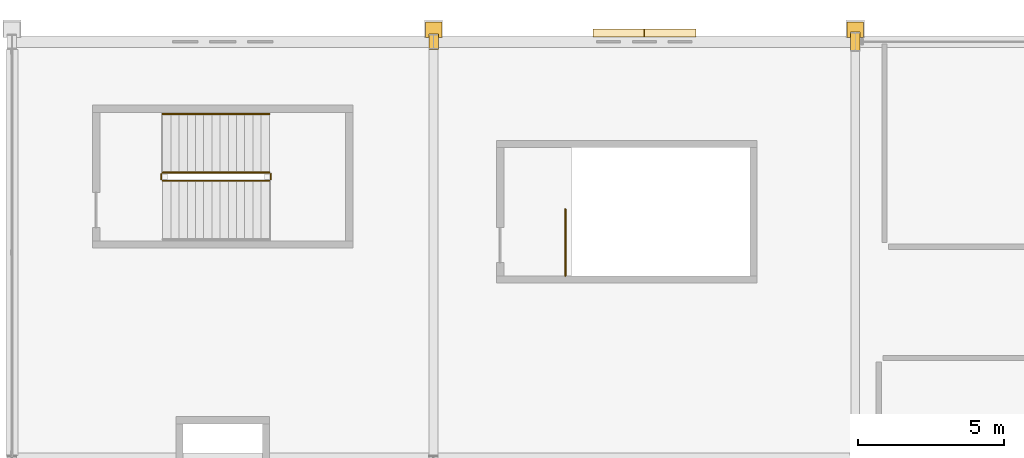
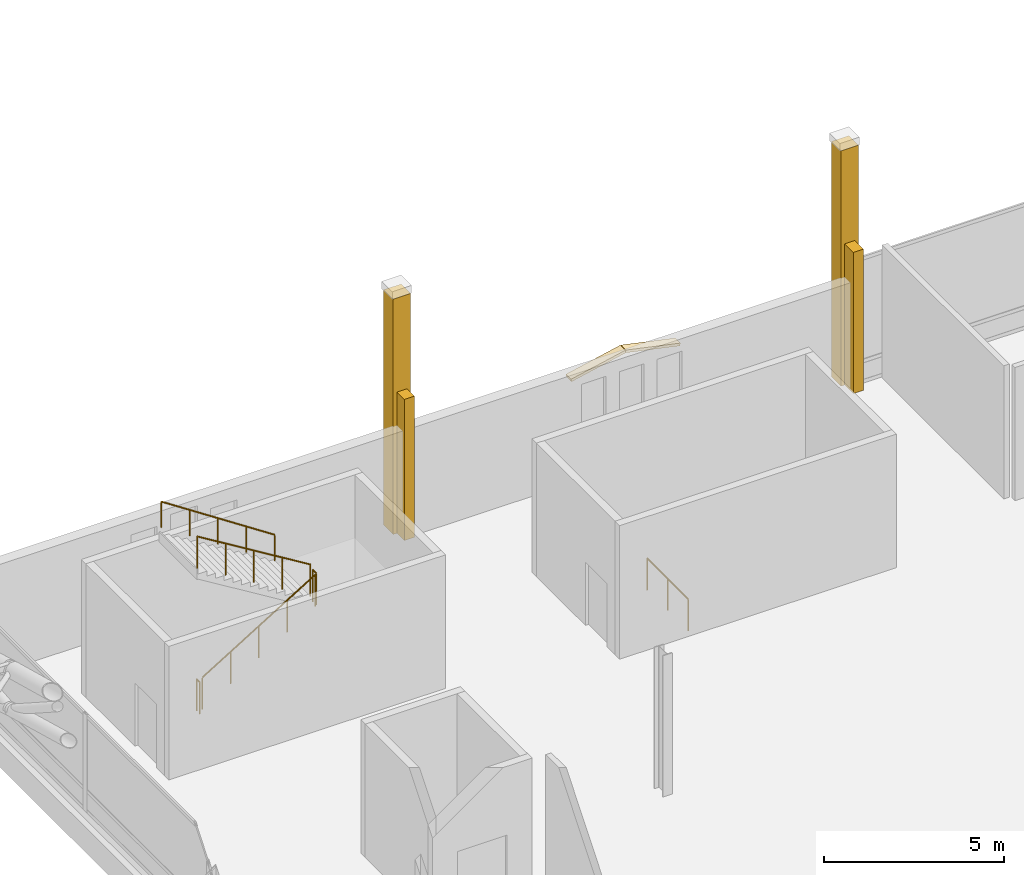
# One storey, part 192 of 193: 6 coverings, 6 railings.
"""IFC4 building model written with IfcOpenShell, lengths in metres."""

from ifc_helpers import new_model, si_unit, direction, frame, origin, origin_2d, place, context, subcontext, project, spatial, polyline, circle, outline, extrude, material, layer, layer_set, type_object, element, save


model = new_model("IFC4")

# Units and contexts
model_context = context("Model", 3, precision=1e-05, world=origin(), true_north=direction((0.0, 1.0)))
body_context = subcontext(model_context, "Body", "Model", "MODEL_VIEW")
ifc_project = project(units=[si_unit("LENGTHUNIT", "METRE"), si_unit("AREAUNIT", "SQUARE_METRE"), si_unit("VOLUMEUNIT", "CUBIC_METRE"), si_unit("PLANEANGLEUNIT", "RADIAN"), si_unit("MASSUNIT", "GRAM", prefix="KILO")], contexts=[model_context])

# Site, building, storey
site_placement = place(None, origin())
site = spatial("IfcSite", under=ifc_project, at=site_placement, CompositionType="ELEMENT")
building_placement = place(site_placement, origin())
building = spatial("IfcBuilding", under=site, at=building_placement, Name="Cendralis Lancet Convention Centre", CompositionType="ELEMENT")
storey_placement = place(building_placement, frame((0.0, 0.0, 10.199951171875)))
storey = spatial("IfcBuildingStorey", under=building, at=storey_placement, Name="L02", CompositionType="ELEMENT", Elevation=10.199951171875)

# Coverings
ifc_material_1 = material(Name="Warm buff sandstone chevron cassette", Category="masonry")
ifc_layer = layer(ifc_material_1, 0.06005859375, Name="Warm buff sandstone chevron cassette")
ifc_layer_set = layer_set([ifc_layer], Name="Warm buff sandstone chevron cassette")
covering_type = type_object("IfcCoveringType", Name="ARC-CV-CLAD1", PredefinedType="CLADDING", material=ifc_layer_set)
for number, where, z_axis, x_axis, name in (
    (1, (144.639892578125, 137.239990234375, 3.27001953125), (-0.209529088731, 0.0, 0.977802414077), (0.0, -1.0, 0.0), "L02 Gothic Pointed Lancet Hood-Mould #0205L"),
    (2, (146.409912109375, 137.239990234375, 3.64501953125), (0.209529088731, 0.0, 0.977802414077), (0.0, -1.0, 0.0), "L02 Gothic Pointed Lancet Hood-Mould #0206R"),
):
    element("IfcCovering", number, at=place(storey_placement, frame(where, z_axis=z_axis, x_axis=x_axis)), inside=storey, type_object=covering_type, Name=name, PredefinedType="CLADDING", context=body_context, shape_type="SweptSolid", body=[
        extrude(outline(polyline([(0.0, 0.0), (0.284912109375, 0.0), (0.284912109375, 1.789727632909544), (0.0, 1.789727632909544), (0.0, 0.0)])), origin(), (0.0, 0.0, -1.0), 0.090087890625),
    ])
covering_1_placement = place(storey_placement, origin())
element("IfcCovering", 3, at=covering_1_placement, inside=storey, type_object=covering_type, Name="Gothic Stepped Stone Buttress Shaft #0054", PredefinedType="CLADDING", context=body_context, shape_type="SweptSolid", body=[
    extrude(outline(polyline([(139.47998046875, 137.47998046875), (138.919921875, 137.47998046875), (138.919921875, 136.949951171875), (139.47998046875, 136.949951171875), (139.47998046875, 137.47998046875)])), origin(), (0.0, 0.0, 1.0), 8.0),
])
covering_2_placement = place(storey_placement, origin())
element("IfcCovering", 4, at=covering_2_placement, inside=storey, type_object=covering_type, Name="Gothic Stepped Stone Buttress Shaft #0056", PredefinedType="CLADDING", context=body_context, shape_type="SweptSolid", body=[
    extrude(outline(polyline([(153.8798828125, 137.47998046875), (153.320068359375, 137.47998046875), (153.320068359375, 136.949951171875), (153.8798828125, 136.949951171875), (153.8798828125, 137.47998046875)])), origin(), (0.0, 0.0, 1.0), 8.0),
])
covering_3_placement = place(storey_placement, origin())
element("IfcCovering", 5, at=covering_3_placement, inside=storey, type_object=covering_type, Name="Exterior Column Stone Fire-Casing L02 #051", PredefinedType="CLADDING", context=body_context, shape_type="SweptSolid", body=[
    extrude(outline(polyline([(139.0380859375, 136.5380859375), (139.362060546875, 136.5380859375), (139.362060546875, 137.06201171875), (139.0380859375, 137.06201171875), (139.0380859375, 136.5380859375)])), origin(), (0.0, 0.0, 1.0), 4.800048828125),
])
covering_4_placement = place(storey_placement, origin())
element("IfcCovering", 6, at=covering_4_placement, inside=storey, type_object=covering_type, Name="Exterior Column Stone Fire-Casing L02 #057", PredefinedType="CLADDING", context=body_context, shape_type="SweptSolid", body=[
    extrude(outline(polyline([(153.43798828125, 136.462890625), (153.761962890625, 136.462890625), (153.761962890625, 137.136962890625), (153.43798828125, 137.136962890625), (153.43798828125, 136.462890625)])), origin(), (0.0, 0.0, 1.0), 4.800048828125),
])

# Railings
ifc_material_2 = material(Name="Steel S355", Category="steel")
railing_type_1 = type_object("IfcRailingType", Name="ARC-RL-CGD", PredefinedType="GUARDRAIL", material=ifc_material_2)
railing_1_placement = place(storey_placement, frame((129.949951171875, 132.050048828125, 0.17138671875)))
element("IfcRailing", 7, at=railing_1_placement, inside=storey, type_object=railing_type_1, Name="L02 ST-05 stair guard 1", PredefinedType="GUARDRAIL", context=body_context, shape_type="SweptSolid", body=[
    extrude(circle(Radius=0.02392578125, at=origin_2d()), frame((0.0, 0.0, 1.076171875), z_axis=(0.852840387347, 0.0, 0.522171689878), x_axis=(0.0, 1.0, 0.0)), (0.0, 0.0, 1.0), 4.268310546875),
    extrude(circle(Radius=0.02099609375, at=origin_2d()), origin(), (0.0, 0.0, 1.0), 1.052001953125),
    extrude(circle(Radius=0.02099609375, at=origin_2d()), frame((0.91015625, 0.0, 0.55712890625)), (0.0, 0.0, 1.0), 1.052001953125),
    extrude(circle(Radius=0.02099609375, at=origin_2d()), frame((1.820068359375, 0.0, 1.1142578125)), (0.0, 0.0, 1.0), 1.052001953125),
    extrude(circle(Radius=0.02099609375, at=origin_2d()), frame((2.72998046875, 0.0, 1.671630859375)), (0.0, 0.0, 1.0), 1.052001953125),
    extrude(circle(Radius=0.02099609375, at=origin_2d()), frame((3.64013671875, 0.0, 2.228759765625)), (0.0, 0.0, 1.0), 1.052001953125),
])
railing_2_placement = place(storey_placement, frame((133.639892578125, 132.10009765625, 2.400146484375)))
element("IfcRailing", 8, at=railing_2_placement, inside=storey, type_object=railing_type_1, Name="L02 ST-05 stair guard 2", PredefinedType="GUARDRAIL", context=body_context, shape_type="SweptSolid", body=[
    extrude(circle(Radius=0.02392578125, at=origin_2d()), frame((0.0, 0.0, 1.076171875), z_axis=(0.0, 1.0, 0.0), x_axis=(-1.0, 0.0, 0.0)), (0.0, 0.0, 1.0), 0.179931640625),
    extrude(circle(Radius=0.02099609375, at=origin_2d()), origin(), (0.0, 0.0, 1.0), 1.052001953125),
    extrude(circle(Radius=0.02099609375, at=origin_2d()), frame((0.0, 0.179931640625, 0.0)), (0.0, 0.0, 1.0), 1.052001953125),
])
railing_3_placement = place(storey_placement, frame((133.590087890625, 132.330078125, 2.571533203125)))
element("IfcRailing", 9, at=railing_3_placement, inside=storey, type_object=railing_type_1, Name="L02 ST-05 stair guard 3", PredefinedType="GUARDRAIL", context=body_context, shape_type="SweptSolid", body=[
    extrude(circle(Radius=0.02392578125, at=origin_2d()), frame((0.0, 0.0, 1.076171875), z_axis=(-0.852865859571, 0.0, 0.52213008492), x_axis=(0.0, -1.0, 0.0)), (0.0, 0.0, 1.0), 4.26806640625),
    extrude(circle(Radius=0.02099609375, at=origin_2d()), origin(), (0.0, 0.0, 1.0), 1.052001953125),
    extrude(circle(Radius=0.02099609375, at=origin_2d()), frame((-0.91015625, 0.0, 0.55712890625)), (0.0, 0.0, 1.0), 1.052001953125),
    extrude(circle(Radius=0.02099609375, at=origin_2d()), frame((-1.820068359375, 0.0, 1.1142578125)), (0.0, 0.0, 1.0), 1.052001953125),
    extrude(circle(Radius=0.02099609375, at=origin_2d()), frame((-2.72998046875, 0.0, 1.67138671875)), (0.0, 0.0, 1.0), 1.052001953125),
    extrude(circle(Radius=0.02099609375, at=origin_2d()), frame((-3.64013671875, 0.0, 2.228515625)), (0.0, 0.0, 1.0), 1.052001953125),
])
railing_4_placement = place(storey_placement, frame((129.89990234375, 132.10009765625, 0.0)))
element("IfcRailing", 10, at=railing_4_placement, inside=storey, type_object=railing_type_1, Name="L02 ST-05 stair guard 4", PredefinedType="GUARDRAIL", context=body_context, shape_type="SweptSolid", body=[
    extrude(circle(Radius=0.02392578125, at=origin_2d()), frame((0.0, 0.0, 1.076171875), z_axis=(0.0, 1.0, 0.0), x_axis=(-1.0, 0.0, 0.0)), (0.0, 0.0, 1.0), 0.179931640625),
    extrude(circle(Radius=0.02099609375, at=origin_2d()), origin(), (0.0, 0.0, 1.0), 1.052001953125),
    extrude(circle(Radius=0.02099609375, at=origin_2d()), frame((0.0, 0.179931640625, 0.0)), (0.0, 0.0, 1.0), 1.052001953125),
])
railing_5_placement = place(storey_placement, frame((143.699951171875, 128.800048828125, 0.0)))
element("IfcRailing", 11, at=railing_5_placement, inside=storey, type_object=railing_type_1, Name="L02 ST-19 top well guard 1", PredefinedType="GUARDRAIL", context=body_context, shape_type="SweptSolid", body=[
    extrude(circle(Radius=0.02392578125, at=origin_2d()), frame((0.0, 0.0, 1.076171875), z_axis=(0.0, 1.0, 0.0), x_axis=(-1.0, 0.0, 0.0)), (0.0, 0.0, 1.0), 2.280029296875),
    extrude(circle(Radius=0.02099609375, at=origin_2d()), origin(), (0.0, 0.0, 1.0), 1.052001953125),
    extrude(circle(Radius=0.02099609375, at=origin_2d()), frame((0.0, 1.14013671875, 0.0)), (0.0, 0.0, 1.0), 1.052001953125),
    extrude(circle(Radius=0.02099609375, at=origin_2d()), frame((0.0, 2.280029296875, 0.0)), (0.0, 0.0, 1.0), 1.052001953125),
])
railing_type_2 = type_object("IfcRailingType", Name="ARC-RL-CHR", PredefinedType="HANDRAIL", material=ifc_material_2)
railing_6_placement = place(storey_placement, frame((133.590087890625, 134.330078125, 2.571533203125)))
element("IfcRailing", 12, at=railing_6_placement, inside=storey, type_object=railing_type_2, Name="L02 ST-05 stair handrail 2", PredefinedType="HANDRAIL", context=body_context, shape_type="SweptSolid", body=[
    extrude(circle(Radius=0.02392578125, at=origin_2d()), frame((0.0, 0.0, 0.8759765625), z_axis=(-0.83488217925, 0.0, 0.55042869363), x_axis=(0.0, -1.0, 0.0)), (0.0, 0.0, 1.0), 4.360107421875),
    extrude(circle(Radius=0.02099609375, at=origin_2d()), origin(), (0.0, 0.0, 1.0), 0.851806640625),
    extrude(circle(Radius=0.02099609375, at=origin_2d()), frame((-0.91015625, 0.0, 0.60009765625)), (0.0, 0.0, 1.0), 0.851806640625),
    extrude(circle(Radius=0.02099609375, at=origin_2d()), frame((-1.820068359375, 0.0, 1.199951171875)), (0.0, 0.0, 1.0), 0.851806640625),
    extrude(circle(Radius=0.02099609375, at=origin_2d()), frame((-2.72998046875, 0.0, 1.7998046875)), (0.0, 0.0, 1.0), 0.851806640625),
    extrude(circle(Radius=0.02099609375, at=origin_2d()), frame((-3.64013671875, 0.0, 2.39990234375)), (0.0, 0.0, 1.0), 0.851806640625),
])

save(model, "model.ifc")
